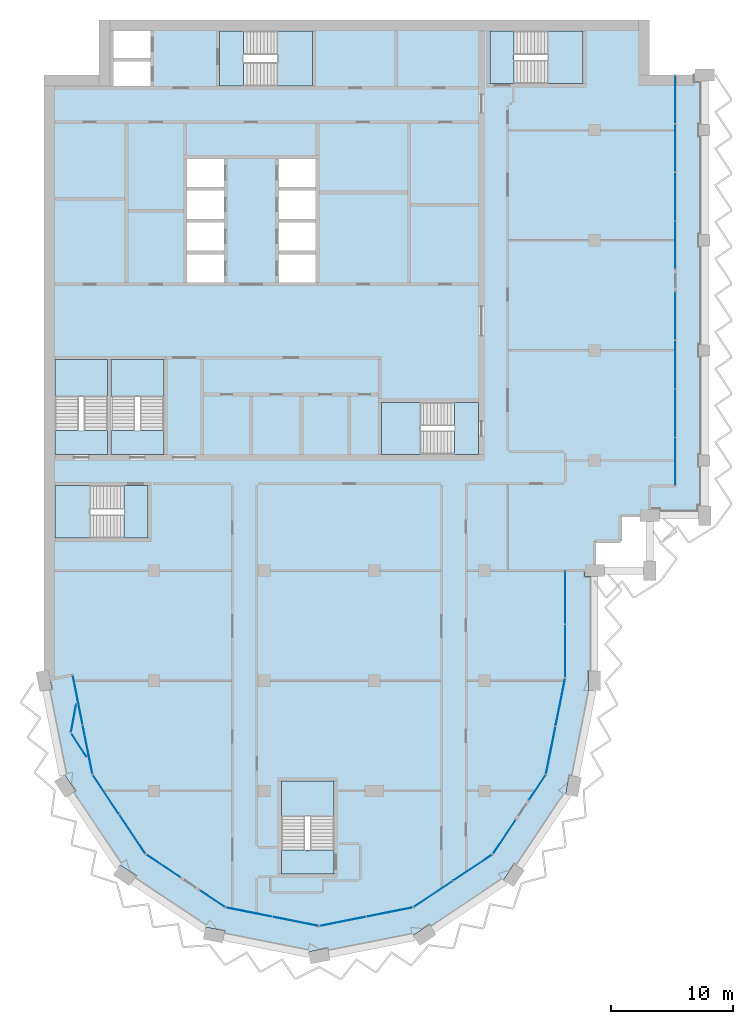
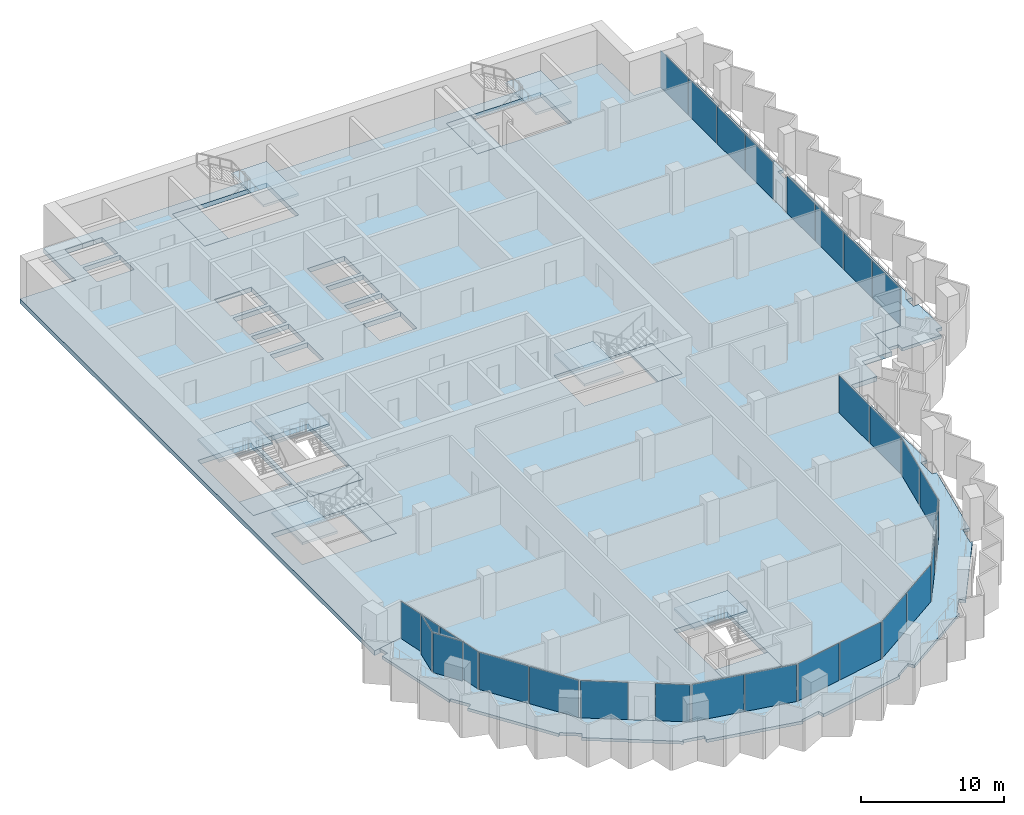
# One storey, part 7 of 17: 28 plates, 17 slabs, 22 elements without a shape of their own.
"""IFC4 building model written with IfcOpenShell, lengths in metres."""

from ifc_helpers import new_model, si_unit, direction, frame, origin, origin_2d, place, context, subcontext, project, spatial, polyline, rectangle, outline, extrude, material, layer, layer_set, type_object, element, aggregate, save


model = new_model("IFC4")

# Units and contexts
model_context = context("Model", 3, precision=1e-05, world=origin(), true_north=direction((0.0, 1.0)))
body_context = subcontext(model_context, "Body", "Model", "MODEL_VIEW")
ifc_project = project(units=[si_unit("LENGTHUNIT", "METRE"), si_unit("AREAUNIT", "SQUARE_METRE"), si_unit("VOLUMEUNIT", "CUBIC_METRE"), si_unit("PLANEANGLEUNIT", "RADIAN"), si_unit("MASSUNIT", "GRAM", prefix="KILO")], contexts=[model_context])

# Site, building, storey
site_placement = place(None, origin())
site = spatial("IfcSite", under=ifc_project, at=site_placement, CompositionType="ELEMENT")
building_placement = place(site_placement, origin())
building = spatial("IfcBuilding", under=site, at=building_placement, Name="Hunhe Ridgeline Campus", CompositionType="ELEMENT")
storey_placement = place(building_placement, frame((0.0, 0.0, 272.5)))
storey = spatial("IfcBuildingStorey", under=building, at=storey_placement, Name="L70", CompositionType="ELEMENT", Elevation=272.5)

# Curtain wall, plates
ifc_material_1 = material(Name="Aluminium 6063", Category="aluminium")
curtain_wall_type_1 = type_object("IfcCurtainWallType", Name="Curtain wall CW-5", PredefinedType="NOTDEFINED", material=ifc_material_1)
curtain_wall_1_placement = place(storey_placement, origin())
curtain_wall_1 = element("IfcCurtainWall", 1, at=curtain_wall_1_placement, inside=storey, type_object=curtain_wall_type_1, Name="Curtain wall 01", PredefinedType="NOTDEFINED")
ifc_material_2 = material(Name="Low-e laminated glass", Category="glass")
ifc_layer_1 = layer(ifc_material_2, 0.028076171875)
ifc_layer_set_1 = layer_set([ifc_layer_1], Name="Curtain wall glass panel 28 low-e laminated")
plate_type = type_object("IfcPlateType", Name="Curtain wall glass panel 28 low-e laminated", PredefinedType="CURTAIN_PANEL", material=ifc_layer_set_1)
plate_1_placement = place(storey_placement, frame((2.76318359375, 43.416015625, 0.0), z_axis=(0.0, 0.0, 1.0), x_axis=(0.195095347137, -0.980784280831, 0.0)))
plate_1 = element("IfcPlate", 2, at=plate_1_placement, type_object=plate_type, Name="CW-5 panel 1", PredefinedType="CURTAIN_PANEL", context=body_context, shape_type="SweptSolid", body=[
    extrude(rectangle(XDim=4.0458984375, YDim=0.028076171875, at=origin_2d()), origin(), (0.0, 0.0, 1.0), 3.179931640625),
])
plate_2_placement = place(storey_placement, frame((3.566162109375, 39.379150390625, 0.0), z_axis=(0.0, 0.0, 1.0), x_axis=(0.195095347137, -0.980784280831, 0.0)))
plate_2 = element("IfcPlate", 3, at=plate_2_placement, type_object=plate_type, Name="CW-5 panel 2", PredefinedType="CURTAIN_PANEL", context=body_context, shape_type="SweptSolid", body=[
    extrude(rectangle(XDim=4.0458984375, YDim=0.028076171875, at=origin_2d()), origin(), (0.0, 0.0, 1.0), 3.179931640625),
])
aggregate(curtain_wall_1, [plate_1, plate_2])

# Curtain wall, plate
curtain_wall_type_2 = type_object("IfcCurtainWallType", Name="Curtain wall CW-2", PredefinedType="NOTDEFINED", material=ifc_material_1)
curtain_wall_2_placement = place(storey_placement, origin())
curtain_wall_2 = element("IfcCurtainWall", 4, at=curtain_wall_2_placement, inside=storey, type_object=curtain_wall_type_2, Name="Curtain wall B01a", PredefinedType="NOTDEFINED")
plate_3_placement = place(storey_placement, frame((2.4248046875, 41.938720703125, 0.0), z_axis=(0.0, 0.0, 1.0), x_axis=(-0.183112559813, -0.983091954213, 0.0)))
plate_3 = element("IfcPlate", 5, at=plate_3_placement, type_object=plate_type, Name="CW-2 panel 1", PredefinedType="CURTAIN_PANEL", context=body_context, shape_type="SweptSolid", body=[
    extrude(rectangle(XDim=2.30322265625, YDim=0.028076171875, at=origin_2d()), origin(), (0.0, 0.0, 1.0), 3.389892578125),
])
aggregate(curtain_wall_2, [plate_3])

curtain_wall_3_placement = place(storey_placement, origin())
curtain_wall_3 = element("IfcCurtainWall", 6, at=curtain_wall_3_placement, inside=storey, type_object=curtain_wall_type_2, Name="Curtain wall B01b", PredefinedType="NOTDEFINED")
plate_4_placement = place(storey_placement, frame((2.86376953125, 39.73193359375, 0.0), z_axis=(0.0, 0.0, 1.0), x_axis=(0.545395474403, -0.838178845176, 0.0)))
plate_4 = element("IfcPlate", 7, at=plate_4_placement, type_object=plate_type, Name="CW-2 panel 1", PredefinedType="CURTAIN_PANEL", context=body_context, shape_type="SweptSolid", body=[
    extrude(rectangle(XDim=2.30322265625, YDim=0.028076171875, at=origin_2d()), origin(), (0.0, 0.0, 1.0), 3.389892578125),
])
aggregate(curtain_wall_3, [plate_4])

# Curtain wall, plates
curtain_wall_4_placement = place(storey_placement, origin())
curtain_wall_4 = element("IfcCurtainWall", 8, at=curtain_wall_4_placement, inside=storey, type_object=curtain_wall_type_1, Name="Curtain wall 02", PredefinedType="NOTDEFINED")
plate_5_placement = place(storey_placement, frame((5.07080078125, 35.685546875, 0.0), z_axis=(0.0, 0.0, 1.0), x_axis=(0.555570274596, -0.831469584522, 0.0)))
plate_5 = element("IfcPlate", 9, at=plate_5_placement, type_object=plate_type, Name="CW-5 panel 1", PredefinedType="CURTAIN_PANEL", context=body_context, shape_type="SweptSolid", body=[
    extrude(rectangle(XDim=3.806884765625, YDim=0.028076171875, at=origin_2d()), origin(), (0.0, 0.0, 1.0), 3.179931640625),
])
plate_6_placement = place(storey_placement, frame((7.224609375, 32.4619140625, 0.0), z_axis=(0.0, 0.0, 1.0), x_axis=(0.555570274596, -0.831469584522, 0.0)))
plate_6 = element("IfcPlate", 10, at=plate_6_placement, type_object=plate_type, Name="CW-5 panel 2", PredefinedType="CURTAIN_PANEL", context=body_context, shape_type="SweptSolid", body=[
    extrude(rectangle(XDim=3.806884765625, YDim=0.028076171875, at=origin_2d()), origin(), (0.0, 0.0, 1.0), 3.179931640625),
])
aggregate(curtain_wall_4, [plate_5, plate_6])

# Curtain wall, plate
curtain_wall_5_placement = place(storey_placement, origin())
curtain_wall_5 = element("IfcCurtainWall", 11, at=curtain_wall_5_placement, inside=storey, type_object=curtain_wall_type_1, Name="Curtain wall 03", PredefinedType="NOTDEFINED")
plate_7_placement = place(storey_placement, frame((9.76025390625, 29.859375, 0.0), z_axis=(0.0, 0.0, 1.0), x_axis=(0.831469595944, -0.555570257501, 0.0)))
plate_7 = element("IfcPlate", 12, at=plate_7_placement, type_object=plate_type, Name="CW-5 panel 1", PredefinedType="CURTAIN_PANEL", context=body_context, shape_type="SweptSolid", body=[
    extrude(rectangle(XDim=3.322021484375, YDim=0.028076171875, at=origin_2d()), origin(), (0.0, 0.0, 1.0), 3.179931640625),
])
aggregate(curtain_wall_5, [plate_7])

curtain_wall_6_placement = place(storey_placement, origin())
curtain_wall_6 = element("IfcCurtainWall", 13, at=curtain_wall_6_placement, inside=storey, type_object=curtain_wall_type_1, Name="Curtain wall 04", PredefinedType="NOTDEFINED")
plate_8_placement = place(storey_placement, frame((13.761474609375, 27.18603515625, 0.0), z_axis=(0.0, 0.0, 1.0), x_axis=(0.831469510353, -0.555570385598, 0.0)))
plate_8 = element("IfcPlate", 14, at=plate_8_placement, type_object=plate_type, Name="CW-5 panel 1", PredefinedType="CURTAIN_PANEL", context=body_context, shape_type="SweptSolid", body=[
    extrude(rectangle(XDim=2.421875, YDim=0.028076171875, at=origin_2d()), origin(), (0.0, 0.0, 1.0), 3.179931640625),
])
aggregate(curtain_wall_6, [plate_8])

# Curtain wall, plates
curtain_wall_7_placement = place(storey_placement, origin())
curtain_wall_7 = element("IfcCurtainWall", 15, at=curtain_wall_7_placement, inside=storey, type_object=curtain_wall_type_1, Name="Curtain wall 05", PredefinedType="NOTDEFINED")
plate_9_placement = place(storey_placement, frame((16.761962890625, 26.08935546875, 0.0), z_axis=(0.0, 0.0, 1.0), x_axis=(0.980785275326, -0.195090347539, 0.0)))
plate_9 = element("IfcPlate", 16, at=plate_9_placement, type_object=plate_type, Name="CW-5 panel 1", PredefinedType="CURTAIN_PANEL", context=body_context, shape_type="SweptSolid", body=[
    extrude(rectangle(XDim=3.806884765625, YDim=0.028076171875, at=origin_2d()), origin(), (0.0, 0.0, 1.0), 3.179931640625),
])
plate_10_placement = place(storey_placement, frame((20.564453125, 25.3330078125, 0.0), z_axis=(0.0, 0.0, 1.0), x_axis=(0.980785275326, -0.195090347539, 0.0)))
plate_10 = element("IfcPlate", 17, at=plate_10_placement, type_object=plate_type, Name="CW-5 panel 2", PredefinedType="CURTAIN_PANEL", context=body_context, shape_type="SweptSolid", body=[
    extrude(rectangle(XDim=3.806884765625, YDim=0.028076171875, at=origin_2d()), origin(), (0.0, 0.0, 1.0), 3.179931640625),
])
aggregate(curtain_wall_7, [plate_9, plate_10])

curtain_wall_8_placement = place(storey_placement, origin())
curtain_wall_8 = element("IfcCurtainWall", 18, at=curtain_wall_8_placement, inside=storey, type_object=curtain_wall_type_1, Name="Curtain wall 06", PredefinedType="NOTDEFINED")
plate_11_placement = place(storey_placement, frame((24.435546875, 25.3330078125, 0.0), z_axis=(0.0, 0.0, 1.0), x_axis=(0.980785275326, 0.195090347539, 0.0)))
plate_11 = element("IfcPlate", 19, at=plate_11_placement, type_object=plate_type, Name="CW-5 panel 1", PredefinedType="CURTAIN_PANEL", context=body_context, shape_type="SweptSolid", body=[
    extrude(rectangle(XDim=3.806884765625, YDim=0.028076171875, at=origin_2d()), origin(), (0.0, 0.0, 1.0), 3.179931640625),
])
plate_12_placement = place(storey_placement, frame((28.238037109375, 26.08935546875, 0.0), z_axis=(0.0, 0.0, 1.0), x_axis=(0.980785275326, 0.195090347539, 0.0)))
plate_12 = element("IfcPlate", 20, at=plate_12_placement, type_object=plate_type, Name="CW-5 panel 2", PredefinedType="CURTAIN_PANEL", context=body_context, shape_type="SweptSolid", body=[
    extrude(rectangle(XDim=3.806884765625, YDim=0.028076171875, at=origin_2d()), origin(), (0.0, 0.0, 1.0), 3.179931640625),
])
aggregate(curtain_wall_8, [plate_11, plate_12])

curtain_wall_9_placement = place(storey_placement, origin())
curtain_wall_9 = element("IfcCurtainWall", 21, at=curtain_wall_9_placement, inside=storey, type_object=curtain_wall_type_1, Name="Curtain wall 07", PredefinedType="NOTDEFINED")
plate_13_placement = place(storey_placement, frame((31.814453125, 27.57080078125, 0.0), z_axis=(0.0, 0.0, 1.0), x_axis=(0.831469584522, 0.555570274596, 0.0)))
plate_13 = element("IfcPlate", 22, at=plate_13_placement, type_object=plate_type, Name="CW-5 panel 1", PredefinedType="CURTAIN_PANEL", context=body_context, shape_type="SweptSolid", body=[
    extrude(rectangle(XDim=3.806884765625, YDim=0.028076171875, at=origin_2d()), origin(), (0.0, 0.0, 1.0), 3.179931640625),
])
plate_14_placement = place(storey_placement, frame((35.0380859375, 29.724609375, 0.0), z_axis=(0.0, 0.0, 1.0), x_axis=(0.831469584522, 0.555570274596, 0.0)))
plate_14 = element("IfcPlate", 23, at=plate_14_placement, type_object=plate_type, Name="CW-5 panel 2", PredefinedType="CURTAIN_PANEL", context=body_context, shape_type="SweptSolid", body=[
    extrude(rectangle(XDim=3.806884765625, YDim=0.028076171875, at=origin_2d()), origin(), (0.0, 0.0, 1.0), 3.179931640625),
])
aggregate(curtain_wall_9, [plate_13, plate_14])

# Curtain wall, plate
curtain_wall_10_placement = place(storey_placement, origin())
curtain_wall_10 = element("IfcCurtainWall", 24, at=curtain_wall_10_placement, inside=storey, type_object=curtain_wall_type_1, Name="Curtain wall 08", PredefinedType="NOTDEFINED")
plate_15_placement = place(storey_placement, frame((37.640625, 32.26025390625, 0.0), z_axis=(0.0, 0.0, 1.0), x_axis=(0.555570257501, 0.831469595944, 0.0)))
plate_15 = element("IfcPlate", 25, at=plate_15_placement, type_object=plate_type, Name="CW-5 panel 1", PredefinedType="CURTAIN_PANEL", context=body_context, shape_type="SweptSolid", body=[
    extrude(rectangle(XDim=3.322021484375, YDim=0.028076171875, at=origin_2d()), origin(), (0.0, 0.0, 1.0), 3.179931640625),
])
aggregate(curtain_wall_10, [plate_15])

curtain_wall_11_placement = place(storey_placement, origin())
curtain_wall_11 = element("IfcCurtainWall", 26, at=curtain_wall_11_placement, inside=storey, type_object=curtain_wall_type_1, Name="Curtain wall 09", PredefinedType="NOTDEFINED")
plate_16_placement = place(storey_placement, frame((40.31396484375, 36.261474609375, 0.0), z_axis=(0.0, 0.0, 1.0), x_axis=(0.555570385598, 0.831469510353, 0.0)))
plate_16 = element("IfcPlate", 27, at=plate_16_placement, type_object=plate_type, Name="CW-5 panel 1", PredefinedType="CURTAIN_PANEL", context=body_context, shape_type="SweptSolid", body=[
    extrude(rectangle(XDim=2.421875, YDim=0.028076171875, at=origin_2d()), origin(), (0.0, 0.0, 1.0), 3.179931640625),
])
aggregate(curtain_wall_11, [plate_16])

# Curtain wall, plates
curtain_wall_12_placement = place(storey_placement, origin())
curtain_wall_12 = element("IfcCurtainWall", 28, at=curtain_wall_12_placement, inside=storey, type_object=curtain_wall_type_1, Name="Curtain wall 10", PredefinedType="NOTDEFINED")
plate_17_placement = place(storey_placement, frame((41.42236328125, 39.321044921875, 0.0), z_axis=(0.0, 0.0, 1.0), x_axis=(0.195090299215, 0.980785284939, 0.0)))
plate_17 = element("IfcPlate", 29, at=plate_17_placement, type_object=plate_type, Name="CW-5 panel 1", PredefinedType="CURTAIN_PANEL", context=body_context, shape_type="SweptSolid", body=[
    extrude(rectangle(XDim=3.927490234375, YDim=0.028076171875, at=origin_2d()), origin(), (0.0, 0.0, 1.0), 3.179931640625),
])
plate_18_placement = place(storey_placement, frame((42.2021484375, 43.24169921875, 0.0), z_axis=(0.0, 0.0, 1.0), x_axis=(0.195090299215, 0.980785284939, 0.0)))
plate_18 = element("IfcPlate", 30, at=plate_18_placement, type_object=plate_type, Name="CW-5 panel 2", PredefinedType="CURTAIN_PANEL", context=body_context, shape_type="SweptSolid", body=[
    extrude(rectangle(XDim=3.927490234375, YDim=0.028076171875, at=origin_2d()), origin(), (0.0, 0.0, 1.0), 3.179931640625),
])
aggregate(curtain_wall_12, [plate_17, plate_18])

curtain_wall_type_3 = type_object("IfcCurtainWallType", Name="Curtain wall CW-1", PredefinedType="NOTDEFINED", material=ifc_material_1)
curtain_wall_13_placement = place(storey_placement, origin())
curtain_wall_13 = element("IfcCurtainWall", 31, at=curtain_wall_13_placement, inside=storey, type_object=curtain_wall_type_3, Name="Curtain wall 11", PredefinedType="NOTDEFINED")
plate_19_placement = place(storey_placement, frame((42.59912109375, 47.4423828125, 0.0), z_axis=(0.0, 0.0, 1.0), x_axis=(1.9283253e-05, 0.999999999814, 0.0)))
plate_19 = element("IfcPlate", 32, at=plate_19_placement, type_object=plate_type, Name="CW-1 panel 1", PredefinedType="CURTAIN_PANEL", context=body_context, shape_type="SweptSolid", body=[
    extrude(rectangle(XDim=4.2919921875, YDim=0.028076171875, at=origin_2d()), origin(), (0.0, 0.0, 1.0), 3.18994140625),
])
plate_20_placement = place(storey_placement, frame((42.59912109375, 51.79443359375, 0.0), z_axis=(0.0, 0.0, 1.0), x_axis=(1.9283253e-05, 0.999999999814, 0.0)))
plate_20 = element("IfcPlate", 33, at=plate_20_placement, type_object=plate_type, Name="CW-1 panel 2", PredefinedType="CURTAIN_PANEL", context=body_context, shape_type="SweptSolid", body=[
    extrude(rectangle(XDim=4.2919921875, YDim=0.028076171875, at=origin_2d()), origin(), (0.0, 0.0, 1.0), 3.18994140625),
])
aggregate(curtain_wall_13, [plate_19, plate_20])

curtain_wall_14_placement = place(storey_placement, origin())
curtain_wall_14 = element("IfcCurtainWall", 34, at=curtain_wall_14_placement, inside=storey, type_object=curtain_wall_type_3, Name="Curtain wall 12", PredefinedType="NOTDEFINED")
plate_21_placement = place(storey_placement, frame((51.59912109375, 62.9033203125, 0.0), z_axis=(0.0, 0.0, 1.0), x_axis=(0.0, 1.0, 0.0)))
plate_21 = element("IfcPlate", 35, at=plate_21_placement, type_object=plate_type, Name="CW-1 panel 1", PredefinedType="CURTAIN_PANEL", context=body_context, shape_type="SweptSolid", body=[
    extrude(rectangle(XDim=3.884765625, YDim=0.028076171875, at=origin_2d()), origin(), (0.0, 0.0, 1.0), 3.18994140625),
])
plate_22_placement = place(storey_placement, frame((51.59912109375, 66.86328125, 0.0), z_axis=(0.0, 0.0, 1.0), x_axis=(0.0, 1.0, 0.0)))
plate_22 = element("IfcPlate", 36, at=plate_22_placement, type_object=plate_type, Name="CW-1 panel 2", PredefinedType="CURTAIN_PANEL", context=body_context, shape_type="SweptSolid", body=[
    extrude(rectangle(XDim=3.914794921875, YDim=0.028076171875, at=origin_2d()), origin(), (0.0, 0.0, 1.0), 3.18994140625),
])
plate_23_placement = place(storey_placement, frame((51.59912109375, 70.838134765625, 0.0), z_axis=(0.0, 0.0, 1.0), x_axis=(0.0, 1.0, 0.0)))
plate_23 = element("IfcPlate", 37, at=plate_23_placement, type_object=plate_type, Name="CW-1 panel 3", PredefinedType="CURTAIN_PANEL", context=body_context, shape_type="SweptSolid", body=[
    extrude(rectangle(XDim=3.914794921875, YDim=0.028076171875, at=origin_2d()), origin(), (0.0, 0.0, 1.0), 3.18994140625),
])
plate_24_placement = place(storey_placement, frame((51.59912109375, 74.798095703125, 0.0), z_axis=(0.0, 0.0, 1.0), x_axis=(0.0, 1.0, 0.0)))
plate_24 = element("IfcPlate", 38, at=plate_24_placement, type_object=plate_type, Name="CW-1 panel 4", PredefinedType="CURTAIN_PANEL", context=body_context, shape_type="SweptSolid", body=[
    extrude(rectangle(XDim=3.884765625, YDim=0.028076171875, at=origin_2d()), origin(), (0.0, 0.0, 1.0), 3.18994140625),
])
aggregate(curtain_wall_14, [plate_21, plate_22, plate_23, plate_24])

curtain_wall_15_placement = place(storey_placement, origin())
curtain_wall_15 = element("IfcCurtainWall", 39, at=curtain_wall_15_placement, inside=storey, type_object=curtain_wall_type_3, Name="Curtain wall 13", PredefinedType="NOTDEFINED")
plate_25_placement = place(storey_placement, frame((51.59912109375, 80.60302734375, 0.0), z_axis=(0.0, 0.0, 1.0), x_axis=(0.0, 1.0, 0.0)))
plate_25 = element("IfcPlate", 40, at=plate_25_placement, type_object=plate_type, Name="CW-1 panel 1", PredefinedType="CURTAIN_PANEL", context=body_context, shape_type="SweptSolid", body=[
    extrude(rectangle(XDim=3.884765625, YDim=0.028076171875, at=origin_2d()), origin(), (0.0, 0.0, 1.0), 3.18994140625),
])
plate_26_placement = place(storey_placement, frame((51.59912109375, 84.562744140625, 0.0), z_axis=(0.0, 0.0, 1.0), x_axis=(0.0, 1.0, 0.0)))
plate_26 = element("IfcPlate", 41, at=plate_26_placement, type_object=plate_type, Name="CW-1 panel 2", PredefinedType="CURTAIN_PANEL", context=body_context, shape_type="SweptSolid", body=[
    extrude(rectangle(XDim=3.914794921875, YDim=0.028076171875, at=origin_2d()), origin(), (0.0, 0.0, 1.0), 3.18994140625),
])
plate_27_placement = place(storey_placement, frame((51.59912109375, 88.53759765625, 0.0), z_axis=(0.0, 0.0, 1.0), x_axis=(0.0, 1.0, 0.0)))
plate_27 = element("IfcPlate", 42, at=plate_27_placement, type_object=plate_type, Name="CW-1 panel 3", PredefinedType="CURTAIN_PANEL", context=body_context, shape_type="SweptSolid", body=[
    extrude(rectangle(XDim=3.914794921875, YDim=0.028076171875, at=origin_2d()), origin(), (0.0, 0.0, 1.0), 3.18994140625),
])
plate_28_placement = place(storey_placement, frame((51.59912109375, 92.49755859375, 0.0), z_axis=(0.0, 0.0, 1.0), x_axis=(0.0, 1.0, 0.0)))
plate_28 = element("IfcPlate", 43, at=plate_28_placement, type_object=plate_type, Name="CW-1 panel 4", PredefinedType="CURTAIN_PANEL", context=body_context, shape_type="SweptSolid", body=[
    extrude(rectangle(XDim=3.884765625, YDim=0.028076171875, at=origin_2d()), origin(), (0.0, 0.0, 1.0), 3.18994140625),
])
aggregate(curtain_wall_15, [plate_25, plate_26, plate_27, plate_28])

# Slabs
ifc_material_3 = material(Name="Concrete C40", Category="concrete")
ifc_layer_2 = layer(ifc_material_3, 0.39990234375)
ifc_layer_set_2 = layer_set([ifc_layer_2], Name="Floor slab 400 Concrete C40")
slab_type_1 = type_object("IfcSlabType", Name="Floor slab 400 Concrete C40", PredefinedType="FLOOR", material=ifc_layer_set_2)
slab_1_placement = place(storey_placement, frame((0.0, 0.0, -0.39990234375)))
element("IfcSlab", 44, at=slab_1_placement, inside=storey, type_object=slab_type_1, Name="Floor slab L70 1", PredefinedType="FLOOR", context=body_context, shape_type="SweptSolid", body=[
    extrude(outline(polyline([(36.678955078125, 30.821044921875), (41.025634765625, 37.326416015625), (42.59912109375, 45.236572265625), (42.59912109375, 54.00048828125), (44.9990234375, 54.0009765625), (44.999267578125, 56.400634765625), (47.09912109375, 56.40087890625), (47.099609375, 58.5009765625), (49.4990234375, 58.5009765625), (49.49951171875, 60.90087890625), (51.59912109375, 60.90087890625), (51.59912109375, 94.5), (49.5, 94.5), (49.5, 99.0), (4.5, 99.0), (4.5, 94.5), (0.0, 94.5), (0.0, 45.0009765625), (2.354736328125, 45.46875), (3.974365234375, 37.326416015625), (8.321044921875, 30.821044921875), (14.826416015625, 26.474365234375), (22.5, 24.947998046875), (30.173583984375, 26.474365234375), (36.678955078125, 30.821044921875)]), holes=[polyline([(36.449951171875, 98.10009765625), (36.449951171875, 93.800048828125), (44.050048828125, 93.800048828125), (44.050048828125, 98.10009765625), (36.449951171875, 98.10009765625)]), polyline([(27.60009765625, 63.5), (35.5, 63.5), (35.5, 67.75), (27.60009765625, 67.75), (27.60009765625, 63.5)]), polyline([(19.39990234375, 36.800048828125), (19.39990234375, 29.199951171875), (23.699951171875, 29.199951171875), (23.699951171875, 36.800048828125), (19.39990234375, 36.800048828125)]), polyline([(22.199951171875, 87.64990234375), (19.199951171875, 87.64990234375), (19.199951171875, 85.35009765625), (22.199951171875, 85.35009765625), (22.199951171875, 87.64990234375)]), polyline([(22.199951171875, 77.550048828125), (22.199951171875, 79.85009765625), (19.199951171875, 79.85009765625), (19.199951171875, 77.550048828125), (22.199951171875, 77.550048828125)]), polyline([(19.199951171875, 85.050048828125), (19.199951171875, 82.75), (22.199951171875, 82.75), (22.199951171875, 85.050048828125), (19.199951171875, 85.050048828125)]), polyline([(19.199951171875, 80.14990234375), (22.199951171875, 80.14990234375), (22.199951171875, 82.449951171875), (19.199951171875, 82.449951171875), (19.199951171875, 80.14990234375)]), polyline([(14.35009765625, 98.10009765625), (14.35009765625, 93.60009765625), (21.949951171875, 93.60009765625), (21.949951171875, 98.10009765625), (14.35009765625, 98.10009765625)]), polyline([(14.699951171875, 87.64990234375), (11.699951171875, 87.64990234375), (11.699951171875, 85.35009765625), (14.699951171875, 85.35009765625), (14.699951171875, 87.64990234375)]), polyline([(14.699951171875, 77.550048828125), (14.699951171875, 79.85009765625), (11.699951171875, 79.85009765625), (11.699951171875, 77.550048828125), (14.699951171875, 77.550048828125)]), polyline([(11.699951171875, 85.050048828125), (11.699951171875, 82.75), (14.699951171875, 82.75), (14.699951171875, 85.050048828125), (11.699951171875, 85.050048828125)]), polyline([(11.699951171875, 80.14990234375), (14.699951171875, 80.14990234375), (14.699951171875, 82.449951171875), (11.699951171875, 82.449951171875), (11.699951171875, 80.14990234375)]), polyline([(9.800048828125, 63.5), (9.800048828125, 71.25), (5.5, 71.25), (5.5, 63.5), (9.800048828125, 63.5)]), polyline([(8.699951171875, 93.60009765625), (8.699951171875, 95.60009765625), (5.699951171875, 95.60009765625), (5.699951171875, 93.60009765625), (8.699951171875, 93.60009765625)]), polyline([(5.699951171875, 95.89990234375), (8.699951171875, 95.89990234375), (8.699951171875, 98.10009765625), (5.699951171875, 98.10009765625), (5.699951171875, 95.89990234375)]), polyline([(0.89990234375, 60.949951171875), (0.89990234375, 56.64990234375), (8.5, 56.64990234375), (8.5, 60.949951171875), (0.89990234375, 60.949951171875)]), polyline([(5.199951171875, 71.25), (0.89990234375, 71.25), (0.89990234375, 63.5), (5.199951171875, 63.5), (5.199951171875, 71.25)])]), origin(), (0.0, 0.0, 1.0), 0.39990234375),
])
ifc_layer_3 = layer(ifc_material_3, 0.25)
ifc_layer_set_3 = layer_set([ifc_layer_3], Name="Loggia slab 250 Concrete C40")
slab_type_2 = type_object("IfcSlabType", Name="Loggia slab 250 Concrete C40", PredefinedType="FLOOR", material=ifc_layer_set_3)
slab_2_placement = place(storey_placement, frame((0.0, 0.0, -0.25)))
element("IfcSlab", 45, at=slab_2_placement, inside=storey, type_object=slab_type_2, Name="Loggia slab 1", PredefinedType="FLOOR", context=body_context, shape_type="SweptSolid", body=[
    extrude(outline(polyline([(30.173828125, 26.473388671875), (22.5, 24.947021484375), (14.826171875, 26.473388671875), (8.3203125, 30.8203125), (3.973388671875, 37.326171875), (2.35400390625, 45.46826171875), (0.490478515625, 45.09765625), (0.646484375, 44.31298828125), (0.156005859375, 44.21533203125), (1.543701171875, 37.239013671875), (1.68408203125, 37.33251953125), (2.572998046875, 36.002197265625), (2.1572265625, 35.724365234375), (6.109130859375, 29.81005859375), (6.20263671875, 29.9501953125), (7.532958984375, 29.061279296875), (7.25537109375, 28.645751953125), (13.169677734375, 24.69384765625), (13.20263671875, 24.859130859375), (14.771728515625, 24.547119140625), (14.67431640625, 24.056640625), (21.650634765625, 22.6689453125), (21.617919921875, 22.834228515625), (23.18701171875, 23.146484375), (23.28466796875, 22.656005859375), (30.260986328125, 24.043701171875), (30.16748046875, 24.18408203125), (31.497802734375, 25.072998046875), (31.775634765625, 24.6572265625), (37.68994140625, 28.609130859375), (37.5498046875, 28.70263671875), (38.438720703125, 30.032958984375), (38.854248046875, 29.75537109375), (42.80615234375, 35.669677734375), (42.640869140625, 35.70263671875), (42.952880859375, 37.271728515625), (43.443359375, 37.17431640625), (44.8408203125, 44.199951171875), (44.5, 44.199951171875), (44.5, 45.800048828125), (45.0, 45.800048828125), (45.0, 53.5), (44.199951171875, 53.5), (44.199951171875, 54.0), (42.60009765625, 54.0), (42.60009765625, 45.236328125), (41.026611328125, 37.326171875), (36.6796875, 30.8203125), (30.173828125, 26.473388671875)])), origin(), (0.0, 0.0, 1.0), 0.25),
])
slab_3_placement = place(storey_placement, frame((0.0, 0.0, -0.25)))
element("IfcSlab", 46, at=slab_3_placement, inside=storey, type_object=slab_type_2, Name="Loggia slab 2", PredefinedType="FLOOR", context=body_context, shape_type="SweptSolid", body=[
    extrude(outline(polyline([(49.5, 59.0), (50.300048828125, 59.0), (50.300048828125, 58.5), (53.5, 58.5), (53.5, 59.300048828125), (54.0, 59.300048828125), (54.0, 62.550048828125), (53.550048828125, 62.550048828125), (53.550048828125, 63.449951171875), (54.0, 63.449951171875), (54.0, 71.550048828125), (53.550048828125, 71.550048828125), (53.550048828125, 72.449951171875), (54.0, 72.449951171875), (54.0, 80.550048828125), (53.550048828125, 80.550048828125), (53.550048828125, 81.449951171875), (54.0, 81.449951171875), (54.0, 89.550048828125), (53.550048828125, 89.550048828125), (53.550048828125, 90.449951171875), (54.0, 90.449951171875), (54.0, 94.0), (53.199951171875, 94.0), (53.199951171875, 94.5), (51.60009765625, 94.5), (51.60009765625, 60.89990234375), (49.5, 60.89990234375), (49.5, 59.0)])), origin(), (0.0, 0.0, 1.0), 0.25),
])

# Stair, slab
stair_type = type_object("IfcStairType", Name="Reinforced concrete dog-leg stair 1950 Concrete C40", PredefinedType="HALF_TURN_STAIR", material=ifc_material_3)
stair_1_placement = place(storey_placement, origin())
stair_1 = element("IfcStair", 47, at=stair_1_placement, inside=storey, type_object=stair_type, Name="L70 S1", PredefinedType="HALF_TURN_STAIR")
ifc_layer_4 = layer(ifc_material_3, 0.199951171875)
ifc_layer_set_4 = layer_set([ifc_layer_4], Name="Reinforced concrete stair landing 200 Concrete C40")
slab_type_3 = type_object("IfcSlabType", Name="Reinforced concrete stair landing 200 Concrete C40", PredefinedType="LANDING", material=ifc_layer_set_4)
slab_4_placement = place(storey_placement, frame((0.0, 0.0, 1.64990234375)))
slab_4 = element("IfcSlab", 48, at=slab_4_placement, type_object=slab_type_3, Name="ST1 landing 1", PredefinedType="LANDING", context=body_context, shape_type="SweptSolid", body=[
    extrude(outline(polyline([(19.10009765625, 93.60009765625), (21.949951171875, 93.60009765625), (21.949951171875, 98.10009765625), (19.10009765625, 98.10009765625), (19.10009765625, 93.60009765625)])), origin(), (0.0, 0.0, 1.0), 0.2001953125),
])
aggregate(stair_1, [slab_4])

# Slab
slab_5_placement = place(storey_placement, frame((0.0, 0.0, -0.199951171875)))
element("IfcSlab", 49, at=slab_5_placement, inside=storey, type_object=slab_type_3, Name="L70 stair S1 floor landing", PredefinedType="LANDING", context=body_context, shape_type="SweptSolid", body=[
    extrude(outline(polyline([(14.35009765625, 93.60009765625), (16.300048828125, 93.60009765625), (16.300048828125, 98.10009765625), (14.35009765625, 98.10009765625), (14.35009765625, 93.60009765625)])), origin(), (0.0, 0.0, 1.0), 0.199951171875),
])

# Stair, slab
stair_2_placement = place(storey_placement, origin())
stair_2 = element("IfcStair", 50, at=stair_2_placement, inside=storey, type_object=stair_type, Name="L70 S2", PredefinedType="HALF_TURN_STAIR")
slab_6_placement = place(storey_placement, frame((0.0, 0.0, 1.64990234375)))
slab_6 = element("IfcSlab", 51, at=slab_6_placement, type_object=slab_type_3, Name="ST2 landing 1", PredefinedType="LANDING", context=body_context, shape_type="SweptSolid", body=[
    extrude(outline(polyline([(30.75, 67.75), (27.60009765625, 67.75), (27.60009765625, 63.5), (30.75, 63.5), (30.75, 67.75)])), origin(), (0.0, 0.0, 1.0), 0.2001953125),
])
aggregate(stair_2, [slab_6])

# Slab
slab_7_placement = place(storey_placement, frame((0.0, 0.0, -0.199951171875)))
element("IfcSlab", 52, at=slab_7_placement, inside=storey, type_object=slab_type_3, Name="L70 stair S2 floor landing", PredefinedType="LANDING", context=body_context, shape_type="SweptSolid", body=[
    extrude(outline(polyline([(35.5, 67.75), (33.550048828125, 67.75), (33.550048828125, 63.5), (35.5, 63.5), (35.5, 67.75)])), origin(), (0.0, 0.0, 1.0), 0.199951171875),
])

# Stair, slab
stair_3_placement = place(storey_placement, origin())
stair_3 = element("IfcStair", 53, at=stair_3_placement, inside=storey, type_object=stair_type, Name="L70 S3", PredefinedType="HALF_TURN_STAIR")
slab_8_placement = place(storey_placement, frame((0.0, 0.0, 1.64990234375)))
slab_8 = element("IfcSlab", 54, at=slab_8_placement, type_object=slab_type_3, Name="ST3 landing 1", PredefinedType="LANDING", context=body_context, shape_type="SweptSolid", body=[
    extrude(outline(polyline([(5.199951171875, 68.25), (5.199951171875, 71.25), (0.89990234375, 71.25), (0.89990234375, 68.25), (5.199951171875, 68.25)])), origin(), (0.0, 0.0, 1.0), 0.2001953125),
])
aggregate(stair_3, [slab_8])

# Slab
slab_9_placement = place(storey_placement, frame((0.0, 0.0, -0.199951171875)))
element("IfcSlab", 55, at=slab_9_placement, inside=storey, type_object=slab_type_3, Name="L70 stair S3 floor landing", PredefinedType="LANDING", context=body_context, shape_type="SweptSolid", body=[
    extrude(outline(polyline([(5.199951171875, 63.5), (5.199951171875, 65.449951171875), (0.89990234375, 65.449951171875), (0.89990234375, 63.5), (5.199951171875, 63.5)])), origin(), (0.0, 0.0, 1.0), 0.199951171875),
])

# Stair, slab
stair_4_placement = place(storey_placement, origin())
stair_4 = element("IfcStair", 56, at=stair_4_placement, inside=storey, type_object=stair_type, Name="L70 S4", PredefinedType="HALF_TURN_STAIR")
slab_10_placement = place(storey_placement, frame((0.0, 0.0, 1.64990234375)))
slab_10 = element("IfcSlab", 57, at=slab_10_placement, type_object=slab_type_3, Name="ST4 landing 1", PredefinedType="LANDING", context=body_context, shape_type="SweptSolid", body=[
    extrude(outline(polyline([(9.800048828125, 68.25), (9.800048828125, 71.25), (5.5, 71.25), (5.5, 68.25), (9.800048828125, 68.25)])), origin(), (0.0, 0.0, 1.0), 0.2001953125),
])
aggregate(stair_4, [slab_10])

# Slab
slab_11_placement = place(storey_placement, frame((0.0, 0.0, -0.199951171875)))
element("IfcSlab", 58, at=slab_11_placement, inside=storey, type_object=slab_type_3, Name="L70 stair S4 floor landing", PredefinedType="LANDING", context=body_context, shape_type="SweptSolid", body=[
    extrude(outline(polyline([(9.800048828125, 63.5), (9.800048828125, 65.449951171875), (5.5, 65.449951171875), (5.5, 63.5), (9.800048828125, 63.5)])), origin(), (0.0, 0.0, 1.0), 0.199951171875),
])

# Stair, slab
stair_5_placement = place(storey_placement, origin())
stair_5 = element("IfcStair", 59, at=stair_5_placement, inside=storey, type_object=stair_type, Name="L70 E1", PredefinedType="HALF_TURN_STAIR")
slab_12_placement = place(storey_placement, frame((0.0, 0.0, 1.64990234375)))
slab_12 = element("IfcSlab", 60, at=slab_12_placement, type_object=slab_type_3, Name="ST5 landing 1", PredefinedType="LANDING", context=body_context, shape_type="SweptSolid", body=[
    extrude(outline(polyline([(41.199951171875, 93.800048828125), (44.050048828125, 93.800048828125), (44.050048828125, 98.10009765625), (41.199951171875, 98.10009765625), (41.199951171875, 93.800048828125)])), origin(), (0.0, 0.0, 1.0), 0.2001953125),
])
aggregate(stair_5, [slab_12])

# Slab
slab_13_placement = place(storey_placement, frame((0.0, 0.0, -0.199951171875)))
element("IfcSlab", 61, at=slab_13_placement, inside=storey, type_object=slab_type_3, Name="L70 stair E1 floor landing", PredefinedType="LANDING", context=body_context, shape_type="SweptSolid", body=[
    extrude(outline(polyline([(36.449951171875, 93.800048828125), (38.39990234375, 93.800048828125), (38.39990234375, 98.10009765625), (36.449951171875, 98.10009765625), (36.449951171875, 93.800048828125)])), origin(), (0.0, 0.0, 1.0), 0.199951171875),
])

# Stair, slab
stair_6_placement = place(storey_placement, origin())
stair_6 = element("IfcStair", 62, at=stair_6_placement, inside=storey, type_object=stair_type, Name="L70 W3", PredefinedType="HALF_TURN_STAIR")
slab_14_placement = place(storey_placement, frame((0.0, 0.0, 1.64990234375)))
slab_14 = element("IfcSlab", 63, at=slab_14_placement, type_object=slab_type_3, Name="ST9 landing 1", PredefinedType="LANDING", context=body_context, shape_type="SweptSolid", body=[
    extrude(outline(polyline([(23.699951171875, 33.949951171875), (23.699951171875, 36.800048828125), (19.39990234375, 36.800048828125), (19.39990234375, 33.949951171875), (23.699951171875, 33.949951171875)])), origin(), (0.0, 0.0, 1.0), 0.2001953125),
])
aggregate(stair_6, [slab_14])

# Slab
slab_15_placement = place(storey_placement, frame((0.0, 0.0, -0.199951171875)))
element("IfcSlab", 64, at=slab_15_placement, inside=storey, type_object=slab_type_3, Name="L70 stair W3 floor landing", PredefinedType="LANDING", context=body_context, shape_type="SweptSolid", body=[
    extrude(outline(polyline([(23.699951171875, 29.199951171875), (23.699951171875, 31.14990234375), (19.39990234375, 31.14990234375), (19.39990234375, 29.199951171875), (23.699951171875, 29.199951171875)])), origin(), (0.0, 0.0, 1.0), 0.199951171875),
])

# Stair, slab
stair_7_placement = place(storey_placement, origin())
stair_7 = element("IfcStair", 65, at=stair_7_placement, inside=storey, type_object=stair_type, Name="L70 W2", PredefinedType="HALF_TURN_STAIR")
slab_16_placement = place(storey_placement, frame((0.0, 0.0, 1.64990234375)))
slab_16 = element("IfcSlab", 66, at=slab_16_placement, type_object=slab_type_3, Name="ST12 landing 1", PredefinedType="LANDING", context=body_context, shape_type="SweptSolid", body=[
    extrude(outline(polyline([(3.75, 60.949951171875), (0.89990234375, 60.949951171875), (0.89990234375, 56.64990234375), (3.75, 56.64990234375), (3.75, 60.949951171875)])), origin(), (0.0, 0.0, 1.0), 0.2001953125),
])
aggregate(stair_7, [slab_16])

# Slab
slab_17_placement = place(storey_placement, frame((0.0, 0.0, -0.199951171875)))
element("IfcSlab", 67, at=slab_17_placement, inside=storey, type_object=slab_type_3, Name="L70 stair W2 floor landing", PredefinedType="LANDING", context=body_context, shape_type="SweptSolid", body=[
    extrude(outline(polyline([(8.5, 60.949951171875), (6.550048828125, 60.949951171875), (6.550048828125, 56.64990234375), (8.5, 56.64990234375), (8.5, 60.949951171875)])), origin(), (0.0, 0.0, 1.0), 0.199951171875),
])

save(model, "model.ifc")
